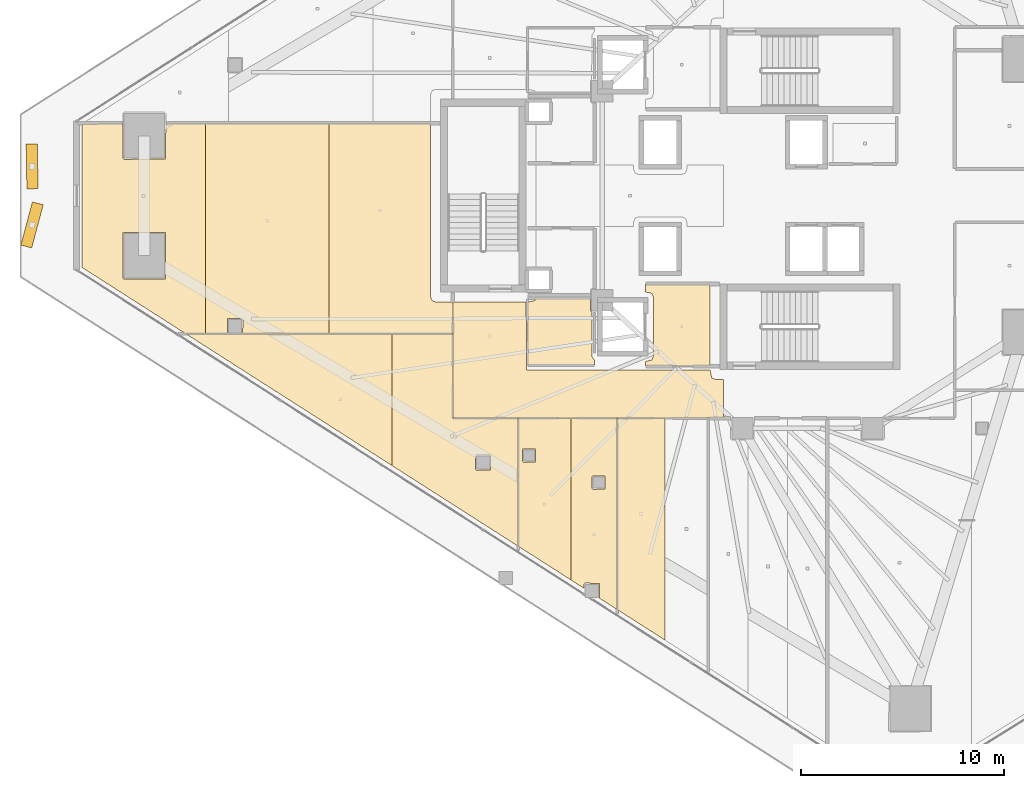
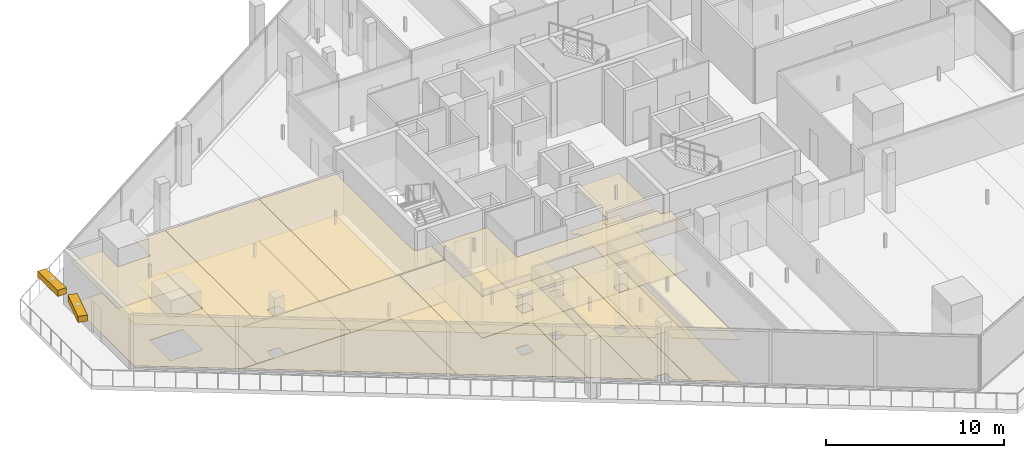
# One storey, part 33 of 39: 21 coverings, 2 shading devices.
"""IFC4 building model written with IfcOpenShell, lengths in metres."""

from ifc_helpers import new_model, si_unit, direction, frame, origin, origin_2d, place, context, subcontext, project, spatial, polyline, rectangle, outline, extrude, material, layer, layer_set, type_object, element, save


model = new_model("IFC4")

# Units and contexts
model_context = context("Model", 3, precision=1e-05, world=origin(), true_north=direction((0.0, 1.0)))
body_context = subcontext(model_context, "Body", "Model", "MODEL_VIEW")
ifc_project = project(units=[si_unit("LENGTHUNIT", "METRE"), si_unit("AREAUNIT", "SQUARE_METRE"), si_unit("VOLUMEUNIT", "CUBIC_METRE"), si_unit("PLANEANGLEUNIT", "RADIAN"), si_unit("MASSUNIT", "GRAM", prefix="KILO")], contexts=[model_context])

# Site, building, storey
site_placement = place(None, origin())
site = spatial("IfcSite", under=ifc_project, at=site_placement, CompositionType="ELEMENT")
building_placement = place(site_placement, origin())
building = spatial("IfcBuilding", under=site, at=building_placement, Name="Qorvath Tower", CompositionType="ELEMENT")
storey_placement = place(building_placement, frame((0.0, 0.0, 162.449951171875)))
storey = spatial("IfcBuildingStorey", under=building, at=storey_placement, Name="L37", CompositionType="ELEMENT", Elevation=162.449951171875)

# Coverings
ifc_material_1 = material(Name="Acoustic mineral fibre ceiling tile", Category="gypsum")
ifc_layer_1 = layer(ifc_material_1, 0.030029296875)
ifc_layer_set_1 = layer_set([ifc_layer_1], Name="COV-CEIL")
covering_type_1 = type_object("IfcCoveringType", Name="COV-CEIL", PredefinedType="CEILING", material=ifc_layer_set_1)
covering_1_placement = place(storey_placement, frame((0.0, 0.0, 2.85009765625)))
element("IfcCovering", 1, at=covering_1_placement, inside=storey, type_object=covering_type_1, Name="L37 Suspended Acoustic Ceiling 002", PredefinedType="CEILING", context=body_context, shape_type="SweptSolid", body=[
    extrude(outline(polyline([(-25.18994140625, -8.39501953125), (-25.18994140625, -4.35498046875), (-28.375, -4.35498046875), (-28.375, -4.739990234375), (-28.063232421875, -4.813232421875), (-27.989990234375, -4.989990234375), (-27.989990234375, -7.909912109375), (-28.063232421875, -8.086669921875), (-28.375, -8.159912109375), (-28.375, -8.39501953125), (-25.18994140625, -8.39501953125)])), origin(), (0.0, 0.0, 1.0), 0.030029296875),
])
covering_2_placement = place(storey_placement, frame((0.0, 0.0, 2.85009765625)))
element("IfcCovering", 2, at=covering_2_placement, inside=storey, type_object=covering_type_1, Name="L37 Suspended Acoustic Ceiling 008", PredefinedType="CEILING", context=body_context, shape_type="SweptSolid", body=[
    extrude(outline(polyline([(-34.22509765625, -8.580078125), (-34.251220703125, -5.239990234375), (-37.844970703125, -5.239990234375), (-37.844970703125, -10.945068359375), (-24.521484375, -10.945068359375), (-24.521484375, -9.0400390625), (-24.93994140625, -9.0400390625), (-25.11669921875, -8.966796875), (-25.18994140625, -8.57421875), (-34.22509765625, -8.580078125)])), origin(), (0.0, 0.0, 1.0), 0.030029296875),
])
covering_3_placement = place(storey_placement, frame((0.0, 0.0, 2.85009765625)))
element("IfcCovering", 3, at=covering_3_placement, inside=storey, type_object=covering_type_1, Name="L37 Suspended Acoustic Ceiling 022", PredefinedType="CEILING", context=body_context, shape_type="SweptSolid", body=[
    extrude(outline(polyline([(-34.64501953125, -10.962890625), (-34.64501953125, -17.25732421875), (-32.049072265625, -18.91650390625), (-32.049072265625, -10.962890625), (-34.64501953125, -10.962890625)]), holes=[polyline([(-34.439208984375, -13.0673828125), (-34.421630859375, -12.47509765625), (-33.786865234375, -12.47509765625), (-33.786865234375, -13.10986328125), (-34.379150390625, -13.12744140625), (-34.439208984375, -13.0673828125)])]), origin(), (0.0, 0.0, 1.0), 0.030029296875),
])
covering_4_placement = place(storey_placement, frame((0.0, 0.0, 2.85009765625)))
element("IfcCovering", 4, at=covering_4_placement, inside=storey, type_object=covering_type_1, Name="L37 Suspended Acoustic Ceiling 023", PredefinedType="CEILING", context=body_context, shape_type="SweptSolid", body=[
    extrude(outline(polyline([(-32.049072265625, -10.962890625), (-32.049072265625, -18.91650390625), (-31.401123046875, -19.33056640625), (-31.401123046875, -19.135498046875), (-31.341064453125, -19.075439453125), (-30.648681640625, -19.093017578125), (-30.643310546875, -19.81494140625), (-29.76953125, -20.373291015625), (-29.76953125, -10.962890625), (-32.049072265625, -10.962890625)]), holes=[polyline([(-31.01220703125, -14.3994140625), (-30.99462890625, -13.806884765625), (-30.35986328125, -13.806884765625), (-30.35986328125, -14.441650390625), (-30.9521484375, -14.459228515625), (-31.01220703125, -14.3994140625)])]), origin(), (0.0, 0.0, 1.0), 0.030029296875),
])
covering_5_placement = place(storey_placement, frame((0.0, 0.0, 2.85009765625)))
element("IfcCovering", 5, at=covering_5_placement, inside=storey, type_object=covering_type_1, Name="L37 Suspended Acoustic Ceiling 024", PredefinedType="CEILING", context=body_context, shape_type="SweptSolid", body=[
    extrude(outline(polyline([(-27.423583984375, -21.872802734375), (-27.423583984375, -10.962890625), (-29.751708984375, -10.962890625), (-29.751708984375, -20.384765625), (-27.423583984375, -21.872802734375)])), origin(), (0.0, 0.0, 1.0), 0.030029296875),
])
covering_6_placement = place(storey_placement, frame((0.0, 0.0, 2.85009765625)))
element("IfcCovering", 6, at=covering_6_placement, inside=storey, type_object=covering_type_1, Name="L37 Suspended Acoustic Ceiling 041", PredefinedType="CEILING", context=body_context, shape_type="SweptSolid", body=[
    extrude(outline(polyline([(-50.99658203125, -6.806396484375), (-40.852294921875, -13.2900390625), (-40.852294921875, -6.806396484375), (-50.99658203125, -6.806396484375)])), origin(), (0.0, 0.0, 1.0), 0.030029296875),
])
covering_7_placement = place(storey_placement, frame((0.0, 0.0, 2.85009765625)))
element("IfcCovering", 7, at=covering_7_placement, inside=storey, type_object=covering_type_1, Name="L37 Suspended Acoustic Ceiling 042", PredefinedType="CEILING", context=body_context, shape_type="SweptSolid", body=[
    extrude(outline(polyline([(-40.852294921875, -6.806396484375), (-40.852294921875, -13.2900390625), (-34.6630859375, -17.245849609375), (-34.6630859375, -10.962890625), (-37.861572265625, -10.96142578125), (-37.863037109375, -6.806396484375), (-40.852294921875, -6.806396484375)]), holes=[polyline([(-36.749755859375, -13.46044921875), (-36.732177734375, -12.76806640625), (-35.997314453125, -12.76806640625), (-35.997314453125, -13.5029296875), (-36.689697265625, -13.5205078125), (-36.749755859375, -13.46044921875)])]), origin(), (0.0, 0.0, 1.0), 0.030029296875),
])
covering_8_placement = place(storey_placement, frame((0.0, 0.0, 2.85009765625)))
element("IfcCovering", 8, at=covering_8_placement, inside=storey, type_object=covering_type_1, Name="L37 Suspended Acoustic Ceiling 043", PredefinedType="CEILING", context=body_context, shape_type="SweptSolid", body=[
    extrude(outline(polyline([(-56.12744140625, 3.527099609375), (-56.12744140625, -3.527099609375), (-51.024658203125, -6.78857421875), (-50.039306640625, -6.78857421875), (-50.039306640625, 3.562744140625), (-51.989501953125, 3.562744140625), (-52.007080078125, 1.808349609375), (-54.04931640625, 1.790771484375), (-54.109375, 1.850830078125), (-54.109375, 3.562744140625), (-56.12744140625, 3.527099609375)]), holes=[polyline([(-54.109375, -4.05078125), (-54.091796875, -1.808349609375), (-52.007080078125, -1.808349609375), (-52.007080078125, -4.09326171875), (-54.04931640625, -4.11083984375), (-54.109375, -4.05078125)])]), origin(), (0.0, 0.0, 1.0), 0.030029296875),
])
covering_9_placement = place(storey_placement, frame((0.0, 0.0, 2.85009765625)))
element("IfcCovering", 9, at=covering_9_placement, inside=storey, type_object=covering_type_1, Name="L37 Suspended Acoustic Ceiling 044", PredefinedType="CEILING", context=body_context, shape_type="SweptSolid", body=[
    extrude(outline(polyline([(-50.039306640625, 3.562744140625), (-50.039306640625, -6.78857421875), (-48.947265625, -6.78857421875), (-48.94580078125, -6.05712890625), (-48.25341796875, -6.03955078125), (-48.193359375, -6.099609375), (-48.20947265625, -6.78857421875), (-43.951171875, -6.78857421875), (-43.951171875, 3.562744140625), (-50.039306640625, 3.562744140625)])), origin(), (0.0, 0.0, 1.0), 0.030029296875),
])
covering_10_placement = place(storey_placement, frame((0.0, 0.0, 2.85009765625)))
element("IfcCovering", 10, at=covering_10_placement, inside=storey, type_object=covering_type_1, Name="L37 Suspended Acoustic Ceiling 045", PredefinedType="CEILING", context=body_context, shape_type="SweptSolid", body=[
    extrude(outline(polyline([(-43.951171875, 3.562744140625), (-43.951171875, -6.78857421875), (-37.863037109375, -6.78857421875), (-37.863037109375, -5.239990234375), (-38.699951171875, -5.239990234375), (-38.876708984375, -5.166748046875), (-38.949951171875, -4.989990234375), (-38.949951171875, 3.562744140625), (-43.951171875, 3.562744140625)])), origin(), (0.0, 0.0, 1.0), 0.030029296875),
])
ifc_material_2 = material(Name="Low-VOC modular carpet tile", Category="textile")
ifc_layer_2 = layer(ifc_material_2, 0.014892578125)
ifc_layer_set_2 = layer_set([ifc_layer_2], Name="COV-FLOOR-CPT")
covering_type_2 = type_object("IfcCoveringType", Name="COV-FLOOR-CPT", PredefinedType="FLOORING", material=ifc_layer_set_2)
covering_11_placement = place(storey_placement, origin())
element("IfcCovering", 11, at=covering_11_placement, inside=storey, type_object=covering_type_2, Name="L37 Floor Finish 022", PredefinedType="FLOORING", context=body_context, shape_type="SweptSolid", body=[
    extrude(outline(polyline([(-34.64501953125, -10.962890625), (-34.64501953125, -17.25732421875), (-32.049072265625, -18.91650390625), (-32.049072265625, -10.962890625), (-34.64501953125, -10.962890625)]), holes=[polyline([(-34.439208984375, -13.0673828125), (-34.421630859375, -12.47509765625), (-33.786865234375, -12.47509765625), (-33.786865234375, -13.10986328125), (-34.379150390625, -13.12744140625), (-34.439208984375, -13.0673828125)])]), origin(), (0.0, 0.0, 1.0), 0.01513671875),
])
covering_12_placement = place(storey_placement, origin())
element("IfcCovering", 12, at=covering_12_placement, inside=storey, type_object=covering_type_2, Name="L37 Floor Finish 023", PredefinedType="FLOORING", context=body_context, shape_type="SweptSolid", body=[
    extrude(outline(polyline([(-32.049072265625, -10.962890625), (-32.049072265625, -18.91650390625), (-31.401123046875, -19.33056640625), (-31.401123046875, -19.135498046875), (-31.341064453125, -19.075439453125), (-30.648681640625, -19.093017578125), (-30.643310546875, -19.81494140625), (-29.76953125, -20.373291015625), (-29.76953125, -10.962890625), (-32.049072265625, -10.962890625)]), holes=[polyline([(-31.01220703125, -14.3994140625), (-30.99462890625, -13.806884765625), (-30.35986328125, -13.806884765625), (-30.35986328125, -14.441650390625), (-30.9521484375, -14.459228515625), (-31.01220703125, -14.3994140625)])]), origin(), (0.0, 0.0, 1.0), 0.01513671875),
])
covering_13_placement = place(storey_placement, origin())
element("IfcCovering", 13, at=covering_13_placement, inside=storey, type_object=covering_type_2, Name="L37 Floor Finish 024", PredefinedType="FLOORING", context=body_context, shape_type="SweptSolid", body=[
    extrude(outline(polyline([(-27.423583984375, -21.872802734375), (-27.423583984375, -10.962890625), (-29.751708984375, -10.962890625), (-29.751708984375, -20.384765625), (-27.423583984375, -21.872802734375)])), origin(), (0.0, 0.0, 1.0), 0.01513671875),
])
covering_14_placement = place(storey_placement, origin())
element("IfcCovering", 14, at=covering_14_placement, inside=storey, type_object=covering_type_2, Name="L37 Floor Finish 041", PredefinedType="FLOORING", context=body_context, shape_type="SweptSolid", body=[
    extrude(outline(polyline([(-50.99658203125, -6.806396484375), (-40.852294921875, -13.2900390625), (-40.852294921875, -6.806396484375), (-50.99658203125, -6.806396484375)])), origin(), (0.0, 0.0, 1.0), 0.01513671875),
])
covering_15_placement = place(storey_placement, origin())
element("IfcCovering", 15, at=covering_15_placement, inside=storey, type_object=covering_type_2, Name="L37 Floor Finish 042", PredefinedType="FLOORING", context=body_context, shape_type="SweptSolid", body=[
    extrude(outline(polyline([(-40.852294921875, -6.806396484375), (-40.852294921875, -13.2900390625), (-34.6630859375, -17.245849609375), (-34.6630859375, -10.962890625), (-37.861572265625, -10.96142578125), (-37.863037109375, -6.806396484375), (-40.852294921875, -6.806396484375)]), holes=[polyline([(-36.749755859375, -13.46044921875), (-36.732177734375, -12.76806640625), (-35.997314453125, -12.76806640625), (-35.997314453125, -13.5029296875), (-36.689697265625, -13.5205078125), (-36.749755859375, -13.46044921875)])]), origin(), (0.0, 0.0, 1.0), 0.01513671875),
])
covering_16_placement = place(storey_placement, origin())
element("IfcCovering", 16, at=covering_16_placement, inside=storey, type_object=covering_type_2, Name="L37 Floor Finish 043", PredefinedType="FLOORING", context=body_context, shape_type="SweptSolid", body=[
    extrude(outline(polyline([(-56.12744140625, 3.527099609375), (-56.12744140625, -3.527099609375), (-51.024658203125, -6.78857421875), (-50.039306640625, -6.78857421875), (-50.039306640625, 3.562744140625), (-51.989501953125, 3.562744140625), (-52.007080078125, 1.808349609375), (-54.04931640625, 1.790771484375), (-54.109375, 1.850830078125), (-54.109375, 3.562744140625), (-56.12744140625, 3.527099609375)]), holes=[polyline([(-54.109375, -4.05078125), (-54.091796875, -1.808349609375), (-52.007080078125, -1.808349609375), (-52.007080078125, -4.09326171875), (-54.04931640625, -4.11083984375), (-54.109375, -4.05078125)])]), origin(), (0.0, 0.0, 1.0), 0.01513671875),
])
covering_17_placement = place(storey_placement, origin())
element("IfcCovering", 17, at=covering_17_placement, inside=storey, type_object=covering_type_2, Name="L37 Floor Finish 044", PredefinedType="FLOORING", context=body_context, shape_type="SweptSolid", body=[
    extrude(outline(polyline([(-50.039306640625, 3.562744140625), (-50.039306640625, -6.78857421875), (-48.947265625, -6.78857421875), (-48.94580078125, -6.05712890625), (-48.25341796875, -6.03955078125), (-48.193359375, -6.099609375), (-48.20947265625, -6.78857421875), (-43.951171875, -6.78857421875), (-43.951171875, 3.562744140625), (-50.039306640625, 3.562744140625)])), origin(), (0.0, 0.0, 1.0), 0.01513671875),
])
covering_18_placement = place(storey_placement, origin())
element("IfcCovering", 18, at=covering_18_placement, inside=storey, type_object=covering_type_2, Name="L37 Floor Finish 045", PredefinedType="FLOORING", context=body_context, shape_type="SweptSolid", body=[
    extrude(outline(polyline([(-43.951171875, 3.562744140625), (-43.951171875, -6.78857421875), (-37.863037109375, -6.78857421875), (-37.863037109375, -5.239990234375), (-38.699951171875, -5.239990234375), (-38.876708984375, -5.166748046875), (-38.949951171875, -4.989990234375), (-38.949951171875, 3.562744140625), (-43.951171875, 3.562744140625)])), origin(), (0.0, 0.0, 1.0), 0.01513671875),
])
ifc_material_3 = material(Name="Polished epoxy terrazzo flooring", Category="concrete")
ifc_layer_3 = layer(ifc_material_3, 0.02001953125)
ifc_layer_set_3 = layer_set([ifc_layer_3], Name="COV-FLOOR-TRZ")
covering_type_3 = type_object("IfcCoveringType", Name="COV-FLOOR-TRZ", PredefinedType="FLOORING", material=ifc_layer_set_3)
covering_19_placement = place(storey_placement, origin())
element("IfcCovering", 19, at=covering_19_placement, inside=storey, type_object=covering_type_3, Name="L37 Floor Finish 002", PredefinedType="FLOORING", context=body_context, shape_type="SweptSolid", body=[
    extrude(outline(polyline([(-25.18994140625, -8.39501953125), (-25.18994140625, -4.35498046875), (-28.375, -4.35498046875), (-28.375, -4.739990234375), (-28.063232421875, -4.813232421875), (-27.989990234375, -4.989990234375), (-27.989990234375, -7.909912109375), (-28.063232421875, -8.086669921875), (-28.375, -8.159912109375), (-28.375, -8.39501953125), (-25.18994140625, -8.39501953125)])), origin(), (0.0, 0.0, 1.0), 0.01513671875),
])
covering_20_placement = place(storey_placement, origin())
element("IfcCovering", 20, at=covering_20_placement, inside=storey, type_object=covering_type_3, Name="L37 Floor Finish 006", PredefinedType="FLOORING", context=body_context, shape_type="SweptSolid", body=[
    extrude(outline(polyline([(-31.0849609375, -5.054931640625), (-33.786865234375, -5.054931640625), (-33.833251953125, -5.166748046875), (-34.175048828125, -5.239990234375), (-34.175048828125, -8.344970703125), (-30.885009765625, -8.344970703125), (-30.885009765625, -8.108154296875), (-31.010009765625, -7.909912109375), (-31.010009765625, -5.735107421875), (-31.0849609375, -5.675048828125), (-31.0849609375, -5.054931640625)])), origin(), (0.0, 0.0, 1.0), 0.01513671875),
])
covering_21_placement = place(storey_placement, origin())
element("IfcCovering", 21, at=covering_21_placement, inside=storey, type_object=covering_type_3, Name="L37 Floor Finish 008", PredefinedType="FLOORING", context=body_context, shape_type="SweptSolid", body=[
    extrude(outline(polyline([(-34.22509765625, -8.580078125), (-34.251220703125, -5.239990234375), (-37.844970703125, -5.239990234375), (-37.844970703125, -10.945068359375), (-24.521484375, -10.945068359375), (-24.521484375, -9.0400390625), (-24.93994140625, -9.0400390625), (-25.11669921875, -8.966796875), (-25.18994140625, -8.57421875), (-34.22509765625, -8.580078125)])), origin(), (0.0, 0.0, 1.0), 0.01513671875),
])

# Shading devices
ifc_material_4 = material(Name="Anodised bronze-champagne aluminium", Category="aluminium")
shading_device_type = type_object("IfcShadingDeviceType", Name="SD-LOUVRE", PredefinedType="JALOUSIE", material=ifc_material_4)
for number, where, z_axis, x_axis, name in (
    (22, (-58.5732421875, 1.440185546875, 3.360107421875), (0.0, 0.0, 1.0), (0.016920159644, -0.999856843852, 0.0), "Sinusoidal Wave Louvre Blade L37-01"),
    (23, (-58.576171875, -1.440185546875, 3.360107421875), (0.0, 0.0, 1.0), (-0.258770154872, -0.965938925061, 0.0), "Sinusoidal Wave Louvre Blade L37-02"),
):
    element("IfcShadingDevice", number, at=place(storey_placement, frame(where, z_axis=z_axis, x_axis=x_axis)), inside=storey, type_object=shading_device_type, Name=name, PredefinedType="NOTDEFINED", context=body_context, shape_type="SweptSolid", body=[
        extrude(rectangle(XDim=2.199951171875, YDim=0.550048828125, at=origin_2d()), origin(), (0.0, 0.0, 1.0), 0.419921875),
    ])

save(model, "model.ifc")
